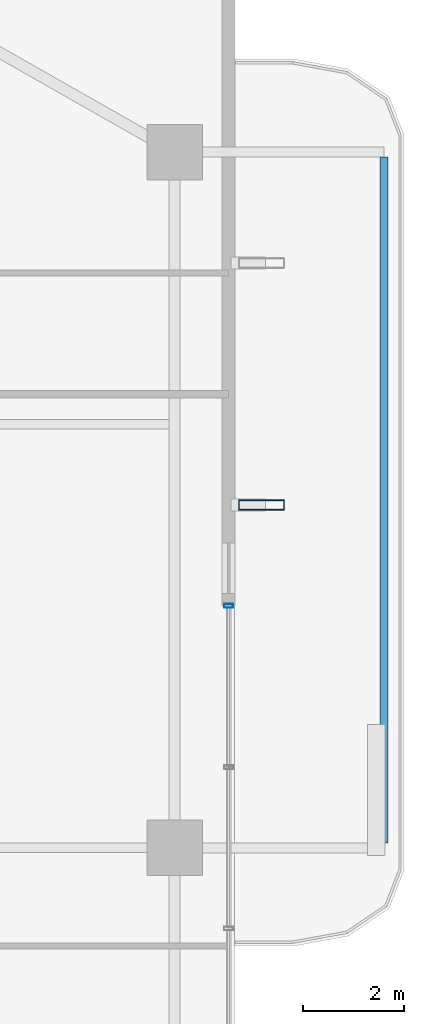
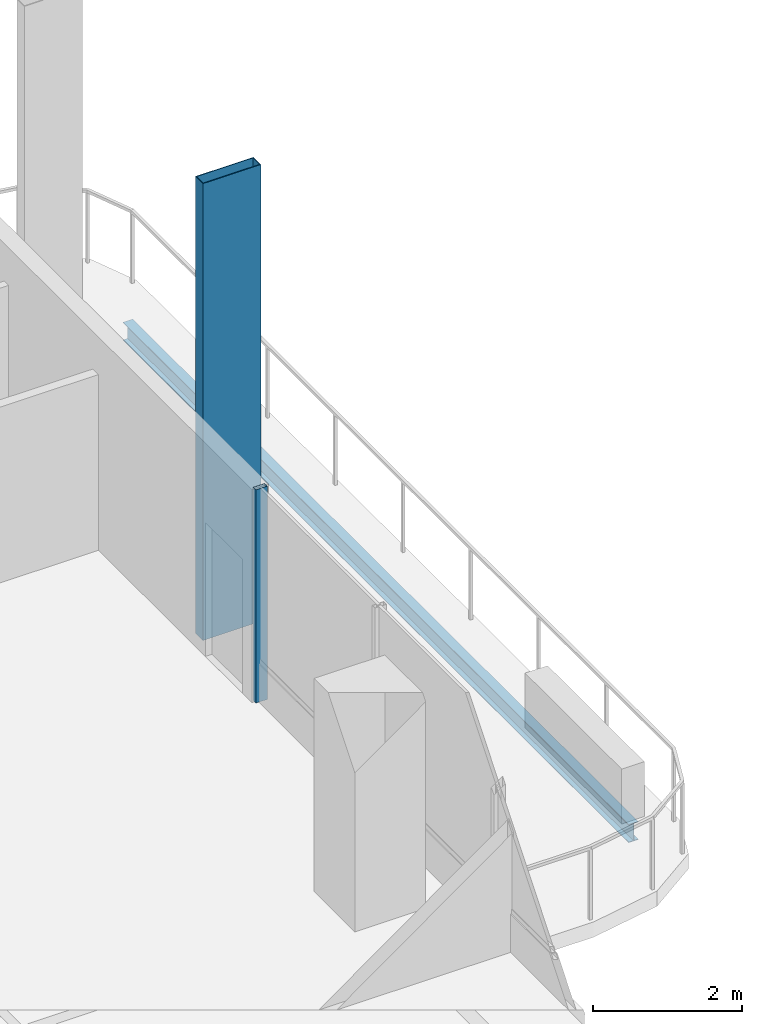
# One storey, part 13 of 24: 2 members, 1 beam, 1 element without a shape of its own.
"""IFC4 building model written with IfcOpenShell, lengths in metres."""

from ifc_helpers import new_model, si_unit, direction, frame, origin, origin_2d, place, context, subcontext, project, spatial, hollow_rectangle, i_section, extrude, material, layer, layer_set, material_profile, profile_set, type_object, element, aggregate, save


model = new_model("IFC4")

# Units and contexts
model_context = context("Model", 3, precision=1e-05, world=origin(), true_north=direction((0.0, 1.0)))
body_context = subcontext(model_context, "Body", "Model", "MODEL_VIEW")
ifc_project = project(units=[si_unit("LENGTHUNIT", "METRE"), si_unit("AREAUNIT", "SQUARE_METRE"), si_unit("VOLUMEUNIT", "CUBIC_METRE"), si_unit("PLANEANGLEUNIT", "RADIAN"), si_unit("MASSUNIT", "GRAM", prefix="KILO")], contexts=[model_context])

# Site, building, storey
site_placement = place(None, origin())
site = spatial("IfcSite", under=ifc_project, at=site_placement, CompositionType="ELEMENT")
building_placement = place(site_placement, origin())
building = spatial("IfcBuilding", under=site, at=building_placement, Name="Belovzor Exchange Tower", CompositionType="ELEMENT")
storey_placement = place(building_placement, frame((0.0, 0.0, 211.199951171875)))
storey = spatial("IfcBuildingStorey", under=building, at=storey_placement, Name="L52", CompositionType="ELEMENT", Elevation=211.199951171875)

# Beam
ifc_material_1 = material(Name="Steel S355", Category="steel")
ifc_material_profile_1 = material_profile(ifc_material_1, i_section(OverallWidth=0.14990234375, OverallDepth=0.300048828125, WebThickness=0.007080078125, FlangeThickness=0.0107421875, at=origin_2d()))
ifc_profile_set_1 = profile_set([ifc_material_profile_1], Name="Steel S355")
beam_type = type_object("IfcBeamType", Name="Planted Balcony Fascia Edge Beam IPE 300", PredefinedType="BEAM", material=ifc_profile_set_1)
beam_placement = place(storey_placement, frame((58.7529296875, 28.89990234375, -0.39990234375), z_axis=(0.0, 1.0, 0.0), x_axis=(-1.0, 0.0, 0.0)))
element("IfcBeam", 1, at=beam_placement, inside=storey, type_object=beam_type, Name="BC-300 Planted Balcony Fascia Edge Beam IPE 300", PredefinedType="BEAM", context=body_context, shape_type="SweptSolid", body=[
    extrude(i_section(OverallWidth=0.14990234375, OverallDepth=0.300048828125, WebThickness=0.007080078125, FlangeThickness=0.0107421875, at=origin_2d()), origin(), (0.0, 0.0, 1.0), 13.60009765625),
])

# Member
ifc_material_2 = material(Name="Extruded Architectural Terracotta on Steel S355 Carrier", Category="masonry")
ifc_material_profile_2 = material_profile(ifc_material_2, hollow_rectangle(XDim=0.199951171875, YDim=0.89990234375, WallThickness=0.011962890625, at=origin_2d()))
ifc_profile_set_2 = profile_set([ifc_material_profile_2], Name="Extruded Architectural Terracotta on Steel S355 Carrier")
member_type_1 = type_object("IfcMemberType", Name="Sweeping Terracotta Baguette Fin Assembly 950", PredefinedType="USERDEFINED", material=ifc_profile_set_2)
member_1_placement = place(storey_placement, frame((56.324951171875, 35.60009765625, -0.25), z_axis=(0.0, 0.0, 1.0), x_axis=(0.0, 1.0, 0.0)))
element("IfcMember", 2, at=member_1_placement, inside=storey, type_object=member_type_1, Name="FIN-TC095 Terracotta Facade Fin L52 E3", ObjectType="FIN", PredefinedType="USERDEFINED", context=body_context, shape_type="SweptSolid", body=[
    extrude(hollow_rectangle(XDim=0.199951171875, YDim=0.89990234375, WallThickness=0.011962890625, at=origin_2d()), origin(), (0.0, 0.0, 1.0), 7.5),
])

# Curtain wall, member
ifc_material_3 = material(Name="Anodised Aluminium Framing", Category="aluminium")
ifc_layer = layer(ifc_material_3, 0.179931640625)
ifc_layer_set = layer_set([ifc_layer], Name="Anodised Aluminium Framing")
curtain_wall_type = type_object("IfcCurtainWallType", Name="Recessed Loggia Low-Iron Triple-Glazed Curtain Wall", PredefinedType="NOTDEFINED", material=ifc_layer_set)
curtain_wall_placement = place(storey_placement, origin())
curtain_wall = element("IfcCurtainWall", 3, at=curtain_wall_placement, inside=storey, type_object=curtain_wall_type, Name="CW3 Recessed Loggia Low-Iron Triple-Glazed Curtain Wall L52", PredefinedType="NOTDEFINED")
ifc_material_4 = material(Name="Steel S355", Category="steel")
ifc_material_profile_3 = material_profile(ifc_material_4, hollow_rectangle(XDim=0.074951171875, YDim=0.179931640625, WallThickness=0.0048828125, at=origin_2d()))
ifc_profile_set_3 = profile_set([ifc_material_profile_3], Name="Steel S355")
member_type_2 = type_object("IfcMemberType", Name="Thermally Broken Curtain Wall Mullion 180x75", PredefinedType="MULLION", material=ifc_profile_set_3)
member_2_placement = place(storey_placement, frame((55.669921875, 33.60009765625, 0.0), z_axis=(0.0, 0.0, 1.0), x_axis=(0.0, -1.0, 0.0)))
member_2 = element("IfcMember", 4, at=member_2_placement, type_object=member_type_2, Name="CW-M180 Curtain Wall Mullion 1", PredefinedType="MULLION", context=body_context, shape_type="SweptSolid", body=[
    extrude(hollow_rectangle(XDim=0.074951171875, YDim=0.179931640625, WallThickness=0.0048828125, at=origin_2d()), origin(), (0.0, 0.0, 1.0), 3.5),
])
aggregate(curtain_wall, [member_2])

save(model, "model.ifc")
